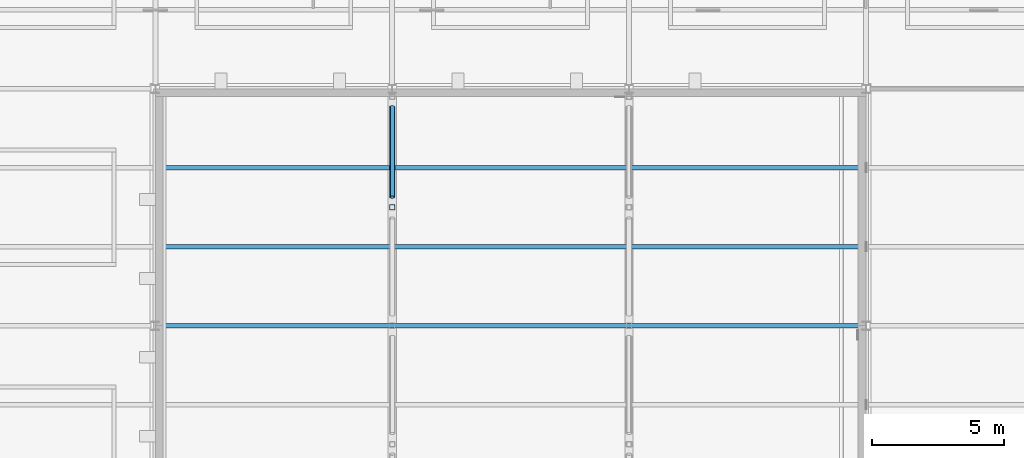
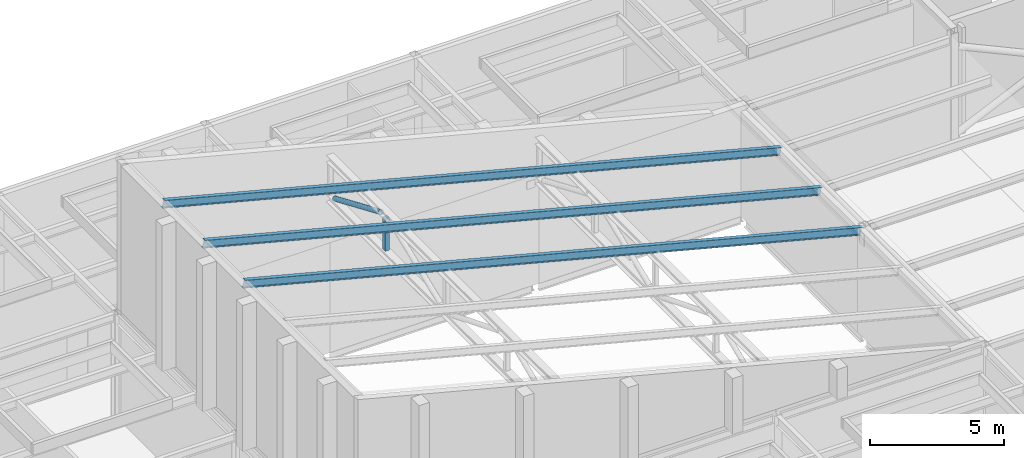
# One storey, part 38 of 115: 5 members.
"""IFC4 building model written with IfcOpenShell, lengths in metres."""

from ifc_helpers import new_model, si_unit, direction, frame, origin, origin_2d, place, context, subcontext, project, spatial, hollow_rectangle, hollow_circle, i_section, extrude, material, material_profile, profile_set, type_object, element, save


model = new_model("IFC4")

# Units and contexts
model_context = context("Model", 3, precision=1e-05, world=origin(), true_north=direction((0.0, 1.0)))
body_context = subcontext(model_context, "Body", "Model", "MODEL_VIEW")
ifc_project = project(units=[si_unit("LENGTHUNIT", "METRE"), si_unit("AREAUNIT", "SQUARE_METRE"), si_unit("VOLUMEUNIT", "CUBIC_METRE"), si_unit("PLANEANGLEUNIT", "RADIAN"), si_unit("MASSUNIT", "GRAM", prefix="KILO")], contexts=[model_context])

# Site, building, storey
site_placement = place(None, origin())
site = spatial("IfcSite", under=ifc_project, at=site_placement, CompositionType="ELEMENT")
building_placement = place(site_placement, origin())
building = spatial("IfcBuilding", under=site, at=building_placement, Name="Shorebreak Coast Museum", CompositionType="ELEMENT")
storey_placement = place(building_placement, frame((0.0, 0.0, 11.0)))
storey = spatial("IfcBuildingStorey", under=building, at=storey_placement, Name="L02", CompositionType="ELEMENT", Elevation=11.0)

# Members
ifc_material_1 = material(Name="Steel Grade C350L0", Category="steel")
ifc_material_profile_1 = material_profile(ifc_material_1, hollow_circle(Radius=0.109619140625, WallThickness=0.00830078125, at=origin_2d()), Name="219.1x8.2 CHS")
ifc_profile_set_1 = profile_set([ifc_material_profile_1], Name="Steel Grade C350L0")
member_type_1 = type_object("IfcMemberType", Name="Auditorium roof truss diagonal 219.1x8.2 CHS", PredefinedType="BRACE", material=ifc_profile_set_1)
member_1_placement = place(storey_placement, frame((27.0, 80.318359375, 7.244873046875), z_axis=(0.0, -0.919168669938, 0.393864134195), x_axis=(1.0, 0.0, 0.0)))
element("IfcMember", 1, at=member_1_placement, inside=storey, type_object=member_type_1, Name="Auditorium roof truss TS1 diagonal D04", PredefinedType="BRACE", context=body_context, shape_type="SweptSolid", body=[
    extrude(hollow_circle(Radius=0.109619140625, WallThickness=0.00830078125, at=origin_2d()), origin(), (0.0, 0.0, 1.0), 3.739013671875),
])
ifc_material_2 = material(Name="Steel Grade C450L0", Category="steel")
ifc_material_profile_2 = material_profile(ifc_material_2, hollow_rectangle(XDim=0.199951171875, YDim=0.199951171875, WallThickness=0.009033203125, InnerFilletRadius=0.013427734375, OuterFilletRadius=0.0224609375, at=origin_2d()), Name="200x200x9.0 SHS")
ifc_profile_set_2 = profile_set([ifc_material_profile_2], Name="Steel Grade C450L0")
member_type_2 = type_object("IfcMemberType", Name="Auditorium roof truss strut 200x200x9.0 SHS", PredefinedType="STRUT", material=ifc_profile_set_2)
member_2_placement = place(storey_placement, frame((27.0, 76.5, 7.244873046875), z_axis=(0.0, 0.0, 1.0), x_axis=(1.0, 0.0, 0.0)))
element("IfcMember", 2, at=member_2_placement, inside=storey, type_object=member_type_2, Name="Auditorium roof truss TS1 strut V04", PredefinedType="STRUT", context=body_context, shape_type="SweptSolid", body=[
    extrude(hollow_rectangle(XDim=0.199951171875, YDim=0.199951171875, WallThickness=0.009033203125, InnerFilletRadius=0.013427734375, OuterFilletRadius=0.0224609375, at=origin_2d()), origin(), (0.0, 0.0, 1.0), 1.47265625),
])
ifc_material_3 = material(Name="Steel Grade 300", Category="steel")
ifc_material_profile_3 = material_profile(ifc_material_3, i_section(OverallWidth=0.1708984375, OverallDepth=0.35205078125, WebThickness=0.0068359375, FlangeThickness=0.009765625, FilletRadius=0.011474609375, at=origin_2d()), Name="360UB44.7")
ifc_profile_set_3 = profile_set([ifc_material_profile_3], Name="Steel Grade 300")
member_type_3 = type_object("IfcMemberType", Name="Shell raker beam 360UB44.7", PredefinedType="RAFTER", material=ifc_profile_set_3)
for number, where, z_axis, x_axis, name in (
    (3, (18.244140625, 72.0, 11.49658203125), (0.967996818278, 0.0, -0.250962466921), (0.0, 1.0, 0.0), "Shell raker beam 03"),
    (4, (18.244140625, 75.0, 11.49658203125), (0.967996818278, 0.0, -0.250962466921), (0.0, 1.0, 0.0), "Shell raker beam 04"),
    (5, (18.244140625, 78.0, 11.49658203125), (0.967996818278, 0.0, -0.250962466921), (0.0, 1.0, 0.0), "Shell raker beam 05"),
):
    element("IfcMember", number, at=place(storey_placement, frame(where, z_axis=z_axis, x_axis=x_axis)), inside=storey, type_object=member_type_3, Name=name, PredefinedType="RAFTER", context=body_context, shape_type="SweptSolid", body=[
        extrude(i_section(OverallWidth=0.1708984375, OverallDepth=0.35205078125, WebThickness=0.0068359375, FlangeThickness=0.009765625, FilletRadius=0.011474609375, at=origin_2d()), origin(), (0.0, 0.0, 1.0), 27.49658203125),
    ])

save(model, "model.ifc")
